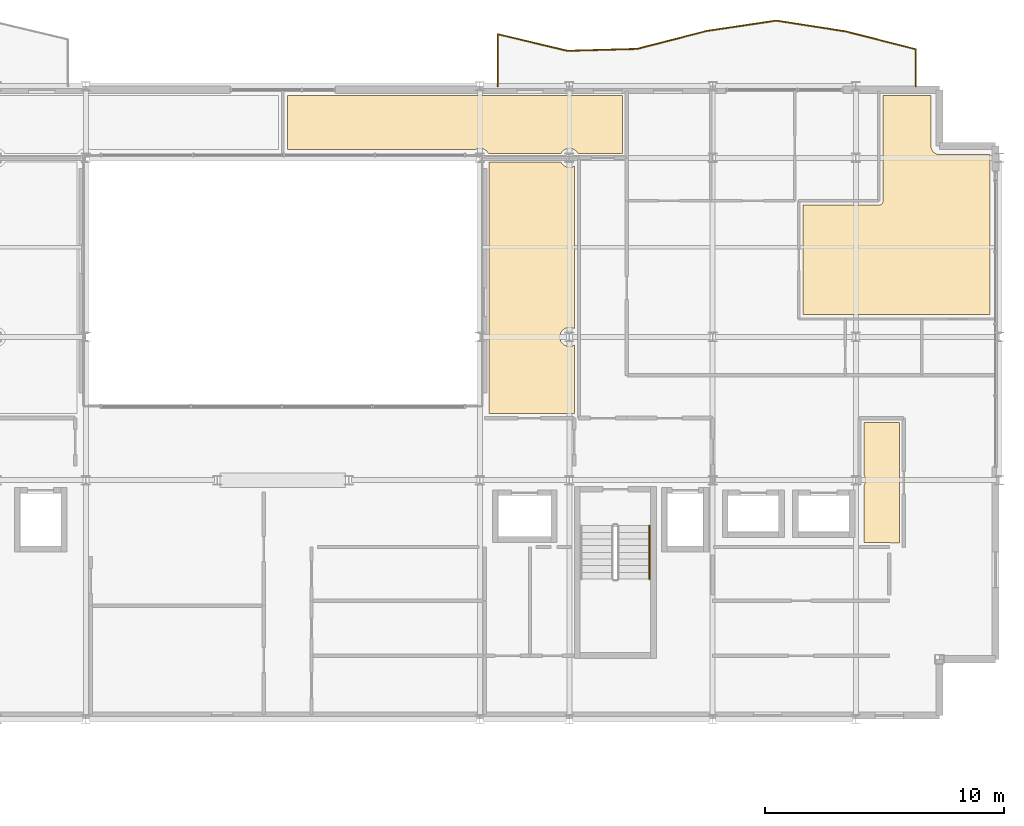
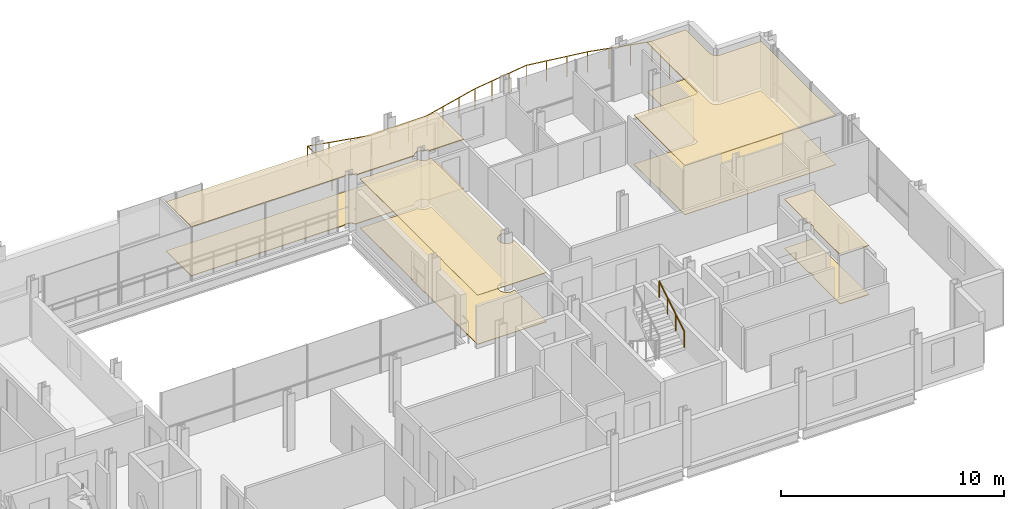
# One storey, part 35 of 35: 8 coverings, 2 railings.
"""IFC4 building model written with IfcOpenShell, lengths in metres."""

from ifc_helpers import new_model, si_unit, direction, frame, origin, origin_2d, place, context, subcontext, project, spatial, polyline, circle, outline, extrude, material, layer, layer_set, type_object, element, save


model = new_model("IFC4")

# Units and contexts
model_context = context("Model", 3, precision=1e-05, world=origin(), true_north=direction((0.0, 1.0)))
body_context = subcontext(model_context, "Body", "Model", "MODEL_VIEW")
ifc_project = project(units=[si_unit("LENGTHUNIT", "METRE"), si_unit("AREAUNIT", "SQUARE_METRE"), si_unit("VOLUMEUNIT", "CUBIC_METRE"), si_unit("PLANEANGLEUNIT", "RADIAN"), si_unit("MASSUNIT", "GRAM", prefix="KILO")], contexts=[model_context])

# Site, building, storey
site_placement = place(None, origin())
site = spatial("IfcSite", under=ifc_project, at=site_placement, CompositionType="ELEMENT")
building_placement = place(site_placement, origin())
building = spatial("IfcBuilding", under=site, at=building_placement, Name="Brevholm Reach", CompositionType="ELEMENT")
storey_placement = place(building_placement, frame((0.0, 0.0, 183.199951171875)))
storey = spatial("IfcBuildingStorey", under=building, at=storey_placement, Name="L55", CompositionType="ELEMENT", Elevation=183.199951171875)

# Coverings
ifc_material_1 = material(Name="Perforated Mineral-Fibre Class-A Acoustic Suspended Ceiling", Category="gypsum")
ifc_layer_1 = layer(ifc_material_1, 0.044921875)
ifc_layer_set_1 = layer_set([ifc_layer_1], Name="Perforated Mineral-Fibre Class-A Acoustic Suspended Ceiling")
covering_type_1 = type_object("IfcCoveringType", Name="COV-CLG-AC", PredefinedType="CEILING", material=ifc_layer_set_1)
covering_1_placement = place(storey_placement, frame((0.0, 0.0, 2.675048828125)))
element("IfcCovering", 1, at=covering_1_placement, inside=storey, type_object=covering_type_1, Name="L55 Suspended Ceiling L55-51", PredefinedType="CEILING", context=body_context, shape_type="SweptSolid", body=[
    extrude(outline(polyline([(51.780029296875, 16.929931640625), (51.780029296875, 21.51611328125), (54.95361328125, 21.516845703125), (54.97119140625, 21.517822265625), (54.98876953125, 21.5205078125), (55.005859375, 21.524658203125), (55.0224609375, 21.530517578125), (55.038330078125, 21.5380859375), (55.053466796875, 21.547119140625), (55.067626953125, 21.557861328125), (55.080810546875, 21.569580078125), (55.092529296875, 21.582763671875), (55.103271484375, 21.596923828125), (55.1123046875, 21.612060546875), (55.119873046875, 21.6279296875), (55.125732421875, 21.64453125), (55.1298828125, 21.66162109375), (55.132568359375, 21.67919921875), (55.133544921875, 21.69677734375), (55.135009765625, 26.1201171875), (57.139892578125, 26.1201171875), (57.139892578125, 24.0), (57.140869140625, 23.982177734375), (57.144287109375, 23.947021484375), (57.14697265625, 23.9296875), (57.151123046875, 23.912841796875), (57.161376953125, 23.879150390625), (57.167236328125, 23.8623046875), (57.1748046875, 23.84619140625), (57.19140625, 23.815185546875), (57.20068359375, 23.800048828125), (57.211181640625, 23.785888671875), (57.2333984375, 23.758544921875), (57.245361328125, 23.745361328125), (57.258544921875, 23.7333984375), (57.285888671875, 23.711181640625), (57.300048828125, 23.70068359375), (57.315185546875, 23.69140625), (57.34619140625, 23.6748046875), (57.3623046875, 23.667236328125), (57.379150390625, 23.661376953125), (57.412841796875, 23.651123046875), (57.4296875, 23.64697265625), (57.447021484375, 23.644287109375), (57.482177734375, 23.640869140625), (57.5, 23.639892578125), (59.6201171875, 23.639892578125), (59.6201171875, 23.623779296875), (59.6171875, 23.6162109375), (59.607666015625, 23.577880859375), (59.601806640625, 23.539306640625), (59.60009765625, 23.5), (59.601806640625, 23.460693359375), (59.607666015625, 23.422119140625), (59.6171875, 23.3837890625), (59.6201171875, 23.376220703125), (59.6201171875, 16.93408203125), (53.550048828125, 16.93408203125), (53.532470703125, 16.93310546875), (53.514892578125, 16.930419921875), (53.5126953125, 16.929931640625), (51.780029296875, 16.929931640625)])), origin(), (0.0, 0.0, 1.0), 0.044921875),
])
covering_2_placement = place(storey_placement, frame((0.0, 0.0, 2.675048828125)))
element("IfcCovering", 2, at=covering_2_placement, inside=storey, type_object=covering_type_1, Name="L55 Suspended Ceiling L55-56", PredefinedType="CEILING", context=body_context, shape_type="SweptSolid", body=[
    extrude(outline(polyline([(38.126220703125, 26.1201171875), (38.1337890625, 26.1171875), (38.172119140625, 26.107666015625), (38.210693359375, 26.101806640625), (38.25, 26.10009765625), (38.289306640625, 26.101806640625), (38.327880859375, 26.107666015625), (38.3662109375, 26.1171875), (38.373779296875, 26.1201171875), (41.876220703125, 26.1201171875), (41.8837890625, 26.1171875), (41.922119140625, 26.107666015625), (41.960693359375, 26.101806640625), (42.0, 26.10009765625), (42.039306640625, 26.101806640625), (42.077880859375, 26.107666015625), (42.1162109375, 26.1171875), (42.123779296875, 26.1201171875), (44.216064453125, 26.1201171875), (44.216064453125, 23.68408203125), (42.35498046875, 23.68408203125), (42.352783203125, 23.688720703125), (42.33251953125, 23.72216796875), (42.30908203125, 23.75390625), (42.28271484375, 23.78271484375), (42.25390625, 23.80908203125), (42.22216796875, 23.83251953125), (42.188720703125, 23.852783203125), (42.153076171875, 23.86962890625), (42.1162109375, 23.8828125), (42.077880859375, 23.892333984375), (42.039306640625, 23.898193359375), (42.0, 23.89990234375), (41.960693359375, 23.898193359375), (41.922119140625, 23.892333984375), (41.8837890625, 23.8828125), (41.846923828125, 23.86962890625), (41.811279296875, 23.852783203125), (41.77783203125, 23.83251953125), (41.74609375, 23.80908203125), (41.71728515625, 23.78271484375), (41.69091796875, 23.75390625), (41.66748046875, 23.72216796875), (41.647216796875, 23.688720703125), (41.64501953125, 23.68408203125), (38.60498046875, 23.68408203125), (38.602783203125, 23.688720703125), (38.58251953125, 23.72216796875), (38.55908203125, 23.75390625), (38.53271484375, 23.78271484375), (38.50390625, 23.80908203125), (38.47216796875, 23.83251953125), (38.438720703125, 23.852783203125), (38.403076171875, 23.86962890625), (38.3662109375, 23.8828125), (38.327880859375, 23.892333984375), (38.289306640625, 23.898193359375), (38.25, 23.89990234375), (38.210693359375, 23.898193359375), (38.172119140625, 23.892333984375), (38.1337890625, 23.8828125), (38.096923828125, 23.86962890625), (38.07666015625, 23.860107421875), (30.18408203125, 23.860107421875), (30.18408203125, 26.1201171875), (38.126220703125, 26.1201171875)])), origin(), (0.0, 0.0, 1.0), 0.044921875),
])
ifc_material_2 = material(Name="Moisture-Resistant Skimmed Gypsum Plasterboard Ceiling", Category="gypsum")
ifc_layer_2 = layer(ifc_material_2, 0.030029296875)
ifc_layer_set_2 = layer_set([ifc_layer_2], Name="Moisture-Resistant Skimmed Gypsum Plasterboard Ceiling")
covering_type_2 = type_object("IfcCoveringType", Name="COV-CLG-GYP", PredefinedType="CEILING", material=ifc_layer_set_2)
covering_3_placement = place(storey_placement, frame((0.0, 0.0, 2.68994140625)))
element("IfcCovering", 3, at=covering_3_placement, inside=storey, type_object=covering_type_2, Name="L55 Suspended Ceiling L55-25", PredefinedType="CEILING", context=body_context, shape_type="SweptSolid", body=[
    extrude(outline(polyline([(54.330078125, 9.7626953125), (54.33056640625, 9.764892578125), (54.33251953125, 9.777587890625), (54.33251953125, 9.77783203125), (54.352783203125, 9.811279296875), (54.36962890625, 9.846923828125), (54.3828125, 9.8837890625), (54.392333984375, 9.922119140625), (54.398193359375, 9.960693359375), (54.39990234375, 10.0), (54.398193359375, 10.039306640625), (54.392333984375, 10.077880859375), (54.3828125, 10.1162109375), (54.36962890625, 10.153076171875), (54.352783203125, 10.188720703125), (54.333984375, 10.219970703125), (54.333984375, 12.419921875), (55.81591796875, 12.419921875), (55.81591796875, 7.3798828125), (55.437255859375, 7.3798828125), (55.43505859375, 7.380615234375), (55.41748046875, 7.383056640625), (55.39990234375, 7.384033203125), (54.330078125, 7.384033203125), (54.330078125, 9.7626953125)])), origin(), (0.0, 0.0, 1.0), 0.030029296875),
])
covering_4_placement = place(storey_placement, frame((0.0, 0.0, 2.68994140625)))
element("IfcCovering", 4, at=covering_4_placement, inside=storey, type_object=covering_type_2, Name="L55 Suspended Ceiling L55-54", PredefinedType="CEILING", context=body_context, shape_type="SweptSolid", body=[
    extrude(outline(polyline([(38.6298828125, 15.876220703125), (38.6328125, 15.8837890625), (38.642333984375, 15.922119140625), (38.648193359375, 15.960693359375), (38.64990234375, 16.0), (38.648193359375, 16.039306640625), (38.642333984375, 16.077880859375), (38.6328125, 16.1162109375), (38.6298828125, 16.123779296875), (38.6298828125, 23.320068359375), (41.643310546875, 23.320068359375), (41.647216796875, 23.311279296875), (41.66748046875, 23.27783203125), (41.69091796875, 23.24609375), (41.71728515625, 23.21728515625), (41.74609375, 23.19091796875), (41.77783203125, 23.16748046875), (41.811279296875, 23.147216796875), (41.846923828125, 23.13037109375), (41.8837890625, 23.1171875), (41.922119140625, 23.107666015625), (41.960693359375, 23.101806640625), (42.0, 23.10009765625), (42.039306640625, 23.101806640625), (42.077880859375, 23.107666015625), (42.1162109375, 23.1171875), (42.153076171875, 23.13037109375), (42.188720703125, 23.147216796875), (42.216064453125, 23.163818359375), (42.216064453125, 16.336181640625), (42.188720703125, 16.352783203125), (42.153076171875, 16.36962890625), (42.1162109375, 16.3828125), (42.077880859375, 16.392333984375), (42.039306640625, 16.398193359375), (42.0, 16.39990234375), (41.960693359375, 16.398193359375), (41.922119140625, 16.392333984375), (41.8837890625, 16.3828125), (41.846923828125, 16.36962890625), (41.811279296875, 16.352783203125), (41.77783203125, 16.33251953125), (41.74609375, 16.30908203125), (41.71728515625, 16.28271484375), (41.69091796875, 16.25390625), (41.66748046875, 16.22216796875), (41.647216796875, 16.188720703125), (41.63037109375, 16.153076171875), (41.6171875, 16.1162109375), (41.607666015625, 16.077880859375), (41.601806640625, 16.039306640625), (41.60009765625, 16.0), (41.601806640625, 15.960693359375), (41.607666015625, 15.922119140625), (41.6171875, 15.8837890625), (41.63037109375, 15.846923828125), (41.647216796875, 15.811279296875), (41.66748046875, 15.77783203125), (41.69091796875, 15.74609375), (41.71728515625, 15.71728515625), (41.74609375, 15.69091796875), (41.77783203125, 15.66748046875), (41.811279296875, 15.647216796875), (41.846923828125, 15.63037109375), (41.8837890625, 15.6171875), (41.922119140625, 15.607666015625), (41.960693359375, 15.601806640625), (42.0, 15.60009765625), (42.039306640625, 15.601806640625), (42.077880859375, 15.607666015625), (42.1162109375, 15.6171875), (42.153076171875, 15.63037109375), (42.188720703125, 15.647216796875), (42.216064453125, 15.663818359375), (42.216064453125, 12.783935546875), (38.6298828125, 12.783935546875), (38.6298828125, 15.876220703125)])), origin(), (0.0, 0.0, 1.0), 0.030029296875),
])
ifc_material_3 = material(Name="Engineered European Oak Acoustic Plank Flooring", Category="timber")
ifc_layer_3 = layer(ifc_material_3, 0.02197265625)
ifc_layer_set_3 = layer_set([ifc_layer_3], Name="Engineered European Oak Acoustic Plank Flooring")
covering_type_3 = type_object("IfcCoveringType", Name="COV-FLR-OAK", PredefinedType="FLOORING", material=ifc_layer_set_3)
covering_5_placement = place(storey_placement, origin())
element("IfcCovering", 5, at=covering_5_placement, inside=storey, type_object=covering_type_3, Name="L55 Floor Finish L55-51", PredefinedType="FLOORING", context=body_context, shape_type="SweptSolid", body=[
    extrude(outline(polyline([(51.780029296875, 16.929931640625), (51.780029296875, 21.51611328125), (54.95361328125, 21.516845703125), (54.97119140625, 21.517822265625), (54.98876953125, 21.5205078125), (55.005859375, 21.524658203125), (55.0224609375, 21.530517578125), (55.038330078125, 21.5380859375), (55.053466796875, 21.547119140625), (55.067626953125, 21.557861328125), (55.080810546875, 21.569580078125), (55.092529296875, 21.582763671875), (55.103271484375, 21.596923828125), (55.1123046875, 21.612060546875), (55.119873046875, 21.6279296875), (55.125732421875, 21.64453125), (55.1298828125, 21.66162109375), (55.132568359375, 21.67919921875), (55.133544921875, 21.69677734375), (55.135009765625, 26.1201171875), (57.139892578125, 26.1201171875), (57.139892578125, 24.0), (57.140869140625, 23.982177734375), (57.144287109375, 23.947021484375), (57.14697265625, 23.9296875), (57.151123046875, 23.912841796875), (57.161376953125, 23.879150390625), (57.167236328125, 23.8623046875), (57.1748046875, 23.84619140625), (57.19140625, 23.815185546875), (57.20068359375, 23.800048828125), (57.211181640625, 23.785888671875), (57.2333984375, 23.758544921875), (57.245361328125, 23.745361328125), (57.258544921875, 23.7333984375), (57.285888671875, 23.711181640625), (57.300048828125, 23.70068359375), (57.315185546875, 23.69140625), (57.34619140625, 23.6748046875), (57.3623046875, 23.667236328125), (57.379150390625, 23.661376953125), (57.412841796875, 23.651123046875), (57.4296875, 23.64697265625), (57.447021484375, 23.644287109375), (57.482177734375, 23.640869140625), (57.5, 23.639892578125), (59.6201171875, 23.639892578125), (59.6201171875, 23.623779296875), (59.6171875, 23.6162109375), (59.607666015625, 23.577880859375), (59.601806640625, 23.539306640625), (59.60009765625, 23.5), (59.601806640625, 23.460693359375), (59.607666015625, 23.422119140625), (59.6171875, 23.3837890625), (59.6201171875, 23.376220703125), (59.6201171875, 16.93408203125), (53.550048828125, 16.93408203125), (53.532470703125, 16.93310546875), (53.514892578125, 16.930419921875), (53.5126953125, 16.929931640625), (51.780029296875, 16.929931640625)])), origin(), (0.0, 0.0, 1.0), 0.02197265625),
])
ifc_material_4 = material(Name="Honed Portland-Aggregate Resin Terrazzo Flooring", Category="concrete")
ifc_layer_4 = layer(ifc_material_4, 0.031982421875)
ifc_layer_set_4 = layer_set([ifc_layer_4], Name="Honed Portland-Aggregate Resin Terrazzo Flooring")
covering_type_4 = type_object("IfcCoveringType", Name="COV-FLR-TRZ", PredefinedType="FLOORING", material=ifc_layer_set_4)
covering_6_placement = place(storey_placement, origin())
element("IfcCovering", 6, at=covering_6_placement, inside=storey, type_object=covering_type_4, Name="L55 Floor Finish L55-25", PredefinedType="FLOORING", context=body_context, shape_type="SweptSolid", body=[
    extrude(outline(polyline([(54.330078125, 9.7626953125), (54.33056640625, 9.764892578125), (54.33251953125, 9.777587890625), (54.33251953125, 9.77783203125), (54.352783203125, 9.811279296875), (54.36962890625, 9.846923828125), (54.3828125, 9.8837890625), (54.392333984375, 9.922119140625), (54.398193359375, 9.960693359375), (54.39990234375, 10.0), (54.398193359375, 10.039306640625), (54.392333984375, 10.077880859375), (54.3828125, 10.1162109375), (54.36962890625, 10.153076171875), (54.352783203125, 10.188720703125), (54.333984375, 10.219970703125), (54.333984375, 12.419921875), (55.81591796875, 12.419921875), (55.81591796875, 7.3798828125), (55.437255859375, 7.3798828125), (55.43505859375, 7.380615234375), (55.41748046875, 7.383056640625), (55.39990234375, 7.384033203125), (54.330078125, 7.384033203125), (54.330078125, 9.7626953125)])), origin(), (0.0, 0.0, 1.0), 0.031982421875),
])
covering_7_placement = place(storey_placement, origin())
element("IfcCovering", 7, at=covering_7_placement, inside=storey, type_object=covering_type_4, Name="L55 Floor Finish L55-54", PredefinedType="FLOORING", context=body_context, shape_type="SweptSolid", body=[
    extrude(outline(polyline([(38.6298828125, 15.876220703125), (38.6328125, 15.8837890625), (38.642333984375, 15.922119140625), (38.648193359375, 15.960693359375), (38.64990234375, 16.0), (38.648193359375, 16.039306640625), (38.642333984375, 16.077880859375), (38.6328125, 16.1162109375), (38.6298828125, 16.123779296875), (38.6298828125, 23.320068359375), (41.643310546875, 23.320068359375), (41.647216796875, 23.311279296875), (41.66748046875, 23.27783203125), (41.69091796875, 23.24609375), (41.71728515625, 23.21728515625), (41.74609375, 23.19091796875), (41.77783203125, 23.16748046875), (41.811279296875, 23.147216796875), (41.846923828125, 23.13037109375), (41.8837890625, 23.1171875), (41.922119140625, 23.107666015625), (41.960693359375, 23.101806640625), (42.0, 23.10009765625), (42.039306640625, 23.101806640625), (42.077880859375, 23.107666015625), (42.1162109375, 23.1171875), (42.153076171875, 23.13037109375), (42.188720703125, 23.147216796875), (42.216064453125, 23.163818359375), (42.216064453125, 16.336181640625), (42.188720703125, 16.352783203125), (42.153076171875, 16.36962890625), (42.1162109375, 16.3828125), (42.077880859375, 16.392333984375), (42.039306640625, 16.398193359375), (42.0, 16.39990234375), (41.960693359375, 16.398193359375), (41.922119140625, 16.392333984375), (41.8837890625, 16.3828125), (41.846923828125, 16.36962890625), (41.811279296875, 16.352783203125), (41.77783203125, 16.33251953125), (41.74609375, 16.30908203125), (41.71728515625, 16.28271484375), (41.69091796875, 16.25390625), (41.66748046875, 16.22216796875), (41.647216796875, 16.188720703125), (41.63037109375, 16.153076171875), (41.6171875, 16.1162109375), (41.607666015625, 16.077880859375), (41.601806640625, 16.039306640625), (41.60009765625, 16.0), (41.601806640625, 15.960693359375), (41.607666015625, 15.922119140625), (41.6171875, 15.8837890625), (41.63037109375, 15.846923828125), (41.647216796875, 15.811279296875), (41.66748046875, 15.77783203125), (41.69091796875, 15.74609375), (41.71728515625, 15.71728515625), (41.74609375, 15.69091796875), (41.77783203125, 15.66748046875), (41.811279296875, 15.647216796875), (41.846923828125, 15.63037109375), (41.8837890625, 15.6171875), (41.922119140625, 15.607666015625), (41.960693359375, 15.601806640625), (42.0, 15.60009765625), (42.039306640625, 15.601806640625), (42.077880859375, 15.607666015625), (42.1162109375, 15.6171875), (42.153076171875, 15.63037109375), (42.188720703125, 15.647216796875), (42.216064453125, 15.663818359375), (42.216064453125, 12.783935546875), (38.6298828125, 12.783935546875), (38.6298828125, 15.876220703125)])), origin(), (0.0, 0.0, 1.0), 0.031982421875),
])
covering_8_placement = place(storey_placement, origin())
element("IfcCovering", 8, at=covering_8_placement, inside=storey, type_object=covering_type_4, Name="L55 Floor Finish L55-56", PredefinedType="FLOORING", context=body_context, shape_type="SweptSolid", body=[
    extrude(outline(polyline([(38.126220703125, 26.1201171875), (38.1337890625, 26.1171875), (38.172119140625, 26.107666015625), (38.210693359375, 26.101806640625), (38.25, 26.10009765625), (38.289306640625, 26.101806640625), (38.327880859375, 26.107666015625), (38.3662109375, 26.1171875), (38.373779296875, 26.1201171875), (41.876220703125, 26.1201171875), (41.8837890625, 26.1171875), (41.922119140625, 26.107666015625), (41.960693359375, 26.101806640625), (42.0, 26.10009765625), (42.039306640625, 26.101806640625), (42.077880859375, 26.107666015625), (42.1162109375, 26.1171875), (42.123779296875, 26.1201171875), (44.216064453125, 26.1201171875), (44.216064453125, 23.68408203125), (42.35498046875, 23.68408203125), (42.352783203125, 23.688720703125), (42.33251953125, 23.72216796875), (42.30908203125, 23.75390625), (42.28271484375, 23.78271484375), (42.25390625, 23.80908203125), (42.22216796875, 23.83251953125), (42.188720703125, 23.852783203125), (42.153076171875, 23.86962890625), (42.1162109375, 23.8828125), (42.077880859375, 23.892333984375), (42.039306640625, 23.898193359375), (42.0, 23.89990234375), (41.960693359375, 23.898193359375), (41.922119140625, 23.892333984375), (41.8837890625, 23.8828125), (41.846923828125, 23.86962890625), (41.811279296875, 23.852783203125), (41.77783203125, 23.83251953125), (41.74609375, 23.80908203125), (41.71728515625, 23.78271484375), (41.69091796875, 23.75390625), (41.66748046875, 23.72216796875), (41.647216796875, 23.688720703125), (41.64501953125, 23.68408203125), (38.60498046875, 23.68408203125), (38.602783203125, 23.688720703125), (38.58251953125, 23.72216796875), (38.55908203125, 23.75390625), (38.53271484375, 23.78271484375), (38.50390625, 23.80908203125), (38.47216796875, 23.83251953125), (38.438720703125, 23.852783203125), (38.403076171875, 23.86962890625), (38.3662109375, 23.8828125), (38.327880859375, 23.892333984375), (38.289306640625, 23.898193359375), (38.25, 23.89990234375), (38.210693359375, 23.898193359375), (38.172119140625, 23.892333984375), (38.1337890625, 23.8828125), (38.096923828125, 23.86962890625), (38.07666015625, 23.860107421875), (30.18408203125, 23.860107421875), (30.18408203125, 26.1201171875), (38.126220703125, 26.1201171875)])), origin(), (0.0, 0.0, 1.0), 0.031982421875),
])

# Railings
ifc_material_5 = material(Name="Brushed Stainless Steel EN 1.4401 and Laminated Glass", Category="steel")
railing_type_1 = type_object("IfcRailingType", Name="RAL-BALC-1150", PredefinedType="BALUSTRADE", material=ifc_material_5)
railing_1_placement = place(storey_placement, frame((56.5, 26.5, 0.0)))
element("IfcRailing", 9, at=railing_1_placement, inside=storey, type_object=railing_type_1, Name="L55 Guard Balustrade RAL-L55-BAL-NE", PredefinedType="BALUSTRADE", context=body_context, shape_type="SweptSolid", body=[
    extrude(circle(Radius=0.02392578125, at=origin_2d()), frame((0.0, 0.0, 1.1259765625), z_axis=(0.0, 1.0, 0.0), x_axis=(-1.0, 0.0, 0.0)), (0.0, 0.0, 1.0), 1.55029296875),
    extrude(circle(Radius=0.02392578125, at=origin_2d()), frame((0.0, 1.55029296875, 1.1259765625), z_axis=(-0.968923500885, 0.24736056564, 0.0), x_axis=(-0.24736056564, -0.968923500885, 0.0)), (0.0, 0.0, 1.0), 3.01025390625),
    extrude(circle(Radius=0.02392578125, at=origin_2d()), frame((-2.916748046875, 2.294921875, 1.1259765625), z_axis=(-0.988044338858, 0.154169985571, 0.0), x_axis=(-0.154169985571, -0.988044338858, 0.0)), (0.0, 0.0, 1.0), 2.951904296875),
    extrude(circle(Radius=0.02392578125, at=origin_2d()), frame((-5.833251953125, 2.75, 1.1259765625), z_axis=(-0.989154508095, -0.146878722471, 0.0), x_axis=(0.146878722471, -0.989154508095, 0.0)), (0.0, 0.0, 1.0), 2.94873046875),
    extrude(circle(Radius=0.02392578125, at=origin_2d()), frame((-8.75, 2.31689453125, 1.1259765625), z_axis=(-0.968396782901, -0.249414656482, 0.0), x_axis=(0.249414656482, -0.968396782901, 0.0)), (0.0, 0.0, 1.0), 3.011962890625),
    extrude(circle(Radius=0.02392578125, at=origin_2d()), frame((-11.666748046875, 1.565673828125, 1.1259765625), z_axis=(-0.999614033457, -0.027781002771, 0.0), x_axis=(0.027781002771, -0.999614033457, 0.0)), (0.0, 0.0, 1.0), 2.917724609375),
    extrude(circle(Radius=0.02392578125, at=origin_2d()), frame((-14.583251953125, 1.484619140625, 1.1259765625), z_axis=(-0.972687280988, 0.232119480882, 0.0), x_axis=(-0.232119480882, -0.972687280988, 0.0)), (0.0, 0.0, 1.0), 2.99853515625),
    extrude(circle(Radius=0.02392578125, at=origin_2d()), frame((-17.5, 2.1806640625, 1.1259765625), z_axis=(0.0, -1.0, 0.0), x_axis=(1.0, 0.0, 0.0)), (0.0, 0.0, 1.0), 2.1806640625),
    extrude(circle(Radius=0.02099609375, at=origin_2d()), origin(), (0.0, 0.0, 1.0), 1.101806640625),
    extrude(circle(Radius=0.02099609375, at=origin_2d()), frame((0.0, 0.775146484375, 0.0)), (0.0, 0.0, 1.0), 1.101806640625),
    extrude(circle(Radius=0.02099609375, at=origin_2d()), frame((0.0, 1.55029296875, 0.0)), (0.0, 0.0, 1.0), 1.101806640625),
    extrude(circle(Radius=0.02099609375, at=origin_2d()), frame((-0.97216796875, 1.798583984375, 0.0)), (0.0, 0.0, 1.0), 1.101806640625),
    extrude(circle(Radius=0.02099609375, at=origin_2d()), frame((-1.944580078125, 2.046630859375, 0.0)), (0.0, 0.0, 1.0), 1.101806640625),
    extrude(circle(Radius=0.02099609375, at=origin_2d()), frame((-2.916748046875, 2.294921875, 0.0)), (0.0, 0.0, 1.0), 1.101806640625),
    extrude(circle(Radius=0.02099609375, at=origin_2d()), frame((-3.888916015625, 2.446533203125, 0.0)), (0.0, 0.0, 1.0), 1.101806640625),
    extrude(circle(Radius=0.02099609375, at=origin_2d()), frame((-4.861083984375, 2.598388671875, 0.0)), (0.0, 0.0, 1.0), 1.101806640625),
    extrude(circle(Radius=0.02099609375, at=origin_2d()), frame((-5.833251953125, 2.75, 0.0)), (0.0, 0.0, 1.0), 1.101806640625),
    extrude(circle(Radius=0.02099609375, at=origin_2d()), frame((-6.805419921875, 2.605712890625, 0.0)), (0.0, 0.0, 1.0), 1.101806640625),
    extrude(circle(Radius=0.02099609375, at=origin_2d()), frame((-7.77783203125, 2.461181640625, 0.0)), (0.0, 0.0, 1.0), 1.101806640625),
    extrude(circle(Radius=0.02099609375, at=origin_2d()), frame((-8.75, 2.31689453125, 0.0)), (0.0, 0.0, 1.0), 1.101806640625),
    extrude(circle(Radius=0.02099609375, at=origin_2d()), frame((-9.72216796875, 2.06640625, 0.0)), (0.0, 0.0, 1.0), 1.101806640625),
    extrude(circle(Radius=0.02099609375, at=origin_2d()), frame((-10.694580078125, 1.816162109375, 0.0)), (0.0, 0.0, 1.0), 1.101806640625),
    extrude(circle(Radius=0.02099609375, at=origin_2d()), frame((-11.666748046875, 1.565673828125, 0.0)), (0.0, 0.0, 1.0), 1.101806640625),
    extrude(circle(Radius=0.02099609375, at=origin_2d()), frame((-12.638916015625, 1.53857421875, 0.0)), (0.0, 0.0, 1.0), 1.101806640625),
    extrude(circle(Radius=0.02099609375, at=origin_2d()), frame((-13.611083984375, 1.51171875, 0.0)), (0.0, 0.0, 1.0), 1.101806640625),
    extrude(circle(Radius=0.02099609375, at=origin_2d()), frame((-14.583251953125, 1.484619140625, 0.0)), (0.0, 0.0, 1.0), 1.101806640625),
    extrude(circle(Radius=0.02099609375, at=origin_2d()), frame((-15.555419921875, 1.716552734375, 0.0)), (0.0, 0.0, 1.0), 1.101806640625),
    extrude(circle(Radius=0.02099609375, at=origin_2d()), frame((-16.52783203125, 1.94873046875, 0.0)), (0.0, 0.0, 1.0), 1.101806640625),
    extrude(circle(Radius=0.02099609375, at=origin_2d()), frame((-17.5, 2.1806640625, 0.0)), (0.0, 0.0, 1.0), 1.101806640625),
    extrude(circle(Radius=0.02099609375, at=origin_2d()), frame((-17.5, 1.09033203125, 0.0)), (0.0, 0.0, 1.0), 1.101806640625),
    extrude(circle(Radius=0.02099609375, at=origin_2d()), frame((-17.5, 0.0, 0.0)), (0.0, 0.0, 1.0), 1.101806640625),
])
ifc_material_6 = material(Name="Brushed Stainless Steel EN 1.4401 Continuous Handrail", Category="steel")
railing_type_2 = type_object("IfcRailingType", Name="RAL-HND-950", PredefinedType="HANDRAIL", material=ifc_material_6)
railing_2_placement = place(storey_placement, frame((45.35009765625, 5.860107421875, 1.72216796875)))
element("IfcRailing", 10, at=railing_2_placement, inside=storey, type_object=railing_type_2, Name="L55 ST-2 stair handrail 2", PredefinedType="HANDRAIL", context=body_context, shape_type="SweptSolid", body=[
    extrude(circle(Radius=0.02392578125, at=origin_2d()), frame((0.0, 0.0, 0.8857421875), z_axis=(0.0, 0.851747552033, 0.523952390591), x_axis=(-1.0, 0.0, 0.0)), (0.0, 0.0, 1.0), 2.6298828125),
    extrude(circle(Radius=0.02099609375, at=origin_2d()), origin(), (0.0, 0.0, 1.0), 0.86181640625),
    extrude(circle(Radius=0.02099609375, at=origin_2d()), frame((0.0, 0.74658203125, 0.459228515625)), (0.0, 0.0, 1.0), 0.86181640625),
    extrude(circle(Radius=0.02099609375, at=origin_2d()), frame((0.0, 1.493408203125, 0.918701171875)), (0.0, 0.0, 1.0), 0.86181640625),
    extrude(circle(Radius=0.02099609375, at=origin_2d()), frame((0.0, 2.239990234375, 1.3779296875)), (0.0, 0.0, 1.0), 0.86181640625),
])

save(model, "model.ifc")
